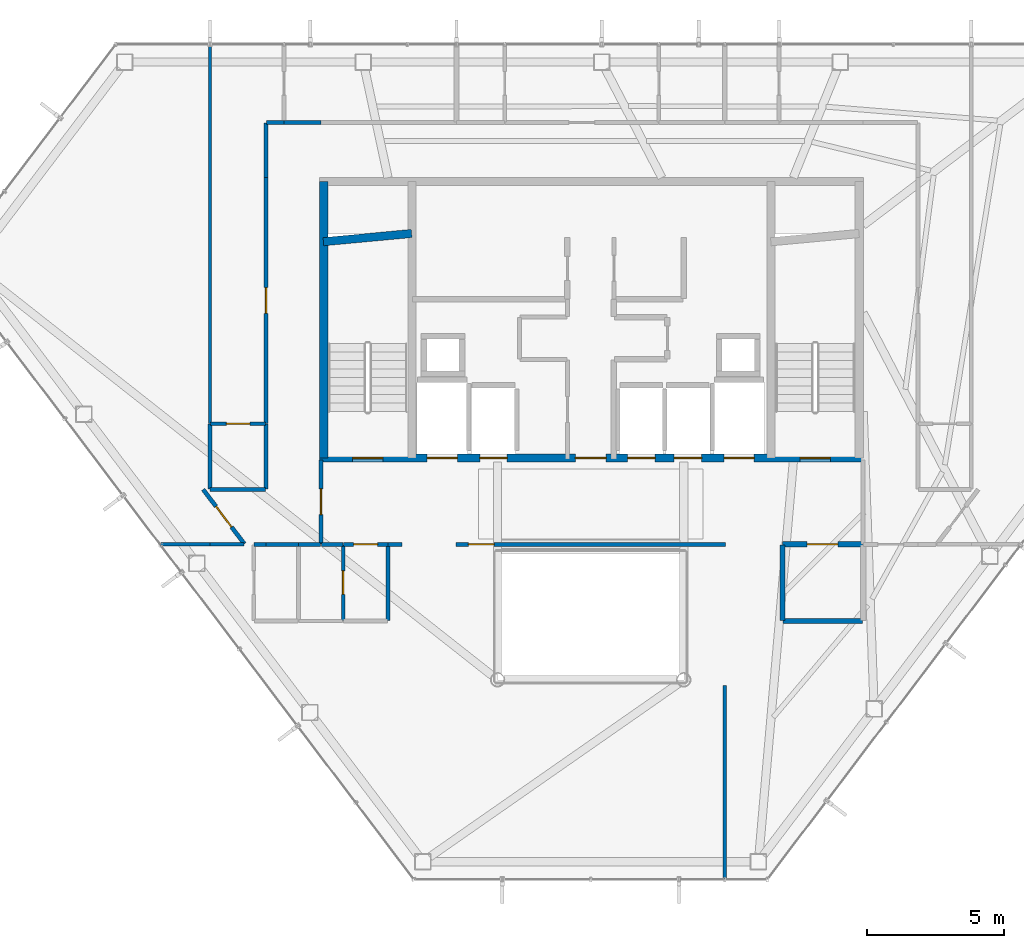
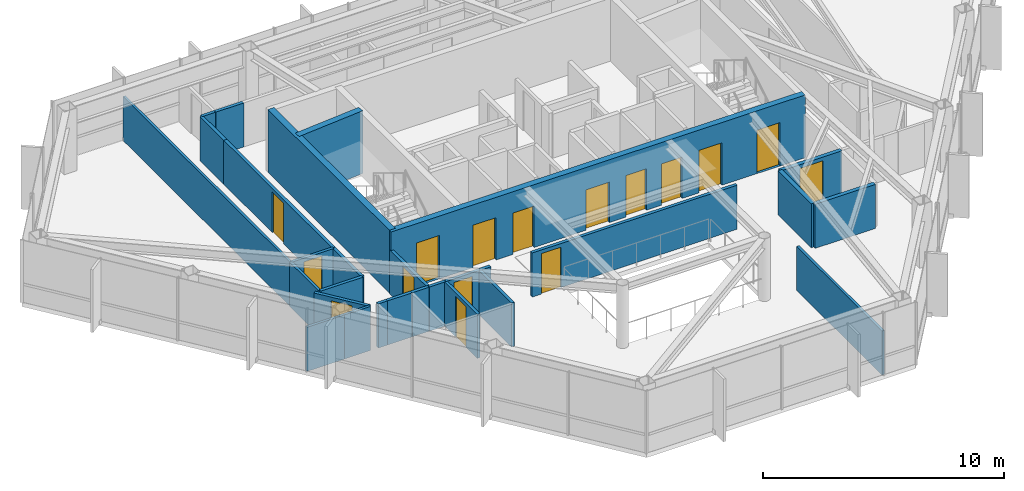
# One storey, part 22 of 25: 29 walls, 16 doors, 16 openings.
"""IFC4 building model written with IfcOpenShell, lengths in metres."""

import ifcopenshell
import ifcopenshell.guid

model = None  # the IFC model being written
_history = None  # IfcOwnerHistory: only IFC2X3 demands one
_inside = {}  # id of a spatial element -> (the spatial element, [elements in it])
_under = {}  # id of a project, library or spatial element -> (it, [spatial elements below it])
_declared = {}  # id of a project -> (the project, [libraries it declares])
_typed = {}  # id of a type object -> (the type object, [elements of that type])
_made_of = {}  # id of a material, layer set ... -> (it, [elements and type objects made of it])


def new_model(schema):
    """Start an empty IFC model of exactly this schema.

    Asked for "IFC4X3", IfcOpenShell would pick the latest addendum, in which some entities
    have other attributes; the version numbers below select the first issue.
    IFC2X3 requires an IfcOwnerHistory on every rooted entity: one is made here for all.
    """
    global model, _history
    if schema == "IFC4X3":
        model = ifcopenshell.file(schema_version=(4, 3, 0, 0))
    else:
        model = ifcopenshell.file(schema=schema)
    _inside.clear()
    _under.clear()
    _declared.clear()
    _typed.clear()
    _made_of.clear()
    _history = None
    if model.schema == "IFC2X3":
        org = make("IfcOrganization", Name="unknown")
        user = make(
            "IfcPersonAndOrganization",
            ThePerson=make("IfcPerson", FamilyName="unknown"),
            TheOrganization=org,
        )
        app = make(
            "IfcApplication",
            ApplicationDeveloper=org,
            Version="unknown",
            ApplicationFullName="unknown",
            ApplicationIdentifier="unknown",
        )
        _history = make(
            "IfcOwnerHistory",
            OwningUser=user,
            OwningApplication=app,
            ChangeAction="ADDED",
            CreationDate=0,
        )
    return model


def make(cls, **values):
    """One entity of the class cls with the attributes given. An attribute that is None is left unset."""
    return model.create_entity(
        cls, **{name: value for name, value in values.items() if value is not None}
    )


def rooted(cls, **values):
    """An entity with a GlobalId (a new one), such as an element, a storey or a relation."""
    return make(cls, GlobalId=ifcopenshell.guid.new(), OwnerHistory=_history, **values)


def si_unit(unit_type, name, prefix=None):
    """IfcSIUnit, for example si_unit("LENGTHUNIT", "METRE", prefix="MILLI")."""
    return make("IfcSIUnit", UnitType=unit_type, Prefix=prefix, Name=name)


def assignment(units):
    """IfcUnitAssignment: the units of a project."""
    return None if units is None else make("IfcUnitAssignment", Units=units)


def point(xyz):
    """IfcCartesianPoint."""
    return None if xyz is None else make("IfcCartesianPoint", Coordinates=xyz)


def direction(xyz):
    """IfcDirection."""
    return None if xyz is None else make("IfcDirection", DirectionRatios=xyz)


def frame(location, z_axis=None, x_axis=None):
    """IfcAxis2Placement3D, a coordinate frame: its origin and axes. An axis left out is left unset."""
    return make(
        "IfcAxis2Placement3D",
        Location=point(location),
        Axis=direction(z_axis),
        RefDirection=direction(x_axis),
    )


def frame_2d(location, x_axis=None):
    """IfcAxis2Placement2D, a coordinate frame in the plane: its origin and x axis."""
    return make(
        "IfcAxis2Placement2D", Location=point(location), RefDirection=direction(x_axis)
    )


def origin():
    """The frame at (0, 0, 0) with its axes left unset."""
    return frame((0.0, 0.0, 0.0))


def place(relative_to, where):
    """IfcLocalPlacement: puts the frame where relative to a parent placement (None: the world)."""
    return make(
        "IfcLocalPlacement", PlacementRelTo=relative_to, RelativePlacement=where
    )


def context(
    kind, dimensions, precision=None, world=None, true_north=None, identifier=None
):
    """IfcGeometricRepresentationContext, for example the 3D "Model" context."""
    return make(
        "IfcGeometricRepresentationContext",
        ContextIdentifier=identifier,
        ContextType=kind,
        CoordinateSpaceDimension=dimensions,
        Precision=precision,
        WorldCoordinateSystem=world,
        TrueNorth=true_north,
    )


def subcontext(parent, identifier, kind, view, scale=None):
    """IfcGeometricRepresentationSubContext, for example "Body" below "Model"."""
    return make(
        "IfcGeometricRepresentationSubContext",
        ContextIdentifier=identifier,
        ContextType=kind,
        ParentContext=parent,
        TargetScale=scale,
        TargetView=view,
    )


def project(units=None, contexts=None):
    """IfcProject with its units and contexts."""
    return rooted(
        "IfcProject",
        Name="project",
        RepresentationContexts=contexts,
        UnitsInContext=assignment(units),
    )


def spatial(cls, under=None, at=None, **own):
    """A site, building, storey or space (cls), placed at a placement, below another one or the project."""
    s = rooted(cls, ObjectPlacement=at, **own)
    if under is not None:
        _under.setdefault(under.id(), (under, []))[1].append(s)
    return s


def profile(cls, at=None, kind="AREA", **sizes):
    """A parametric profile (cls). Its sizes go by their IFC names, for example OverallWidth=200.0."""
    return make(cls, ProfileType=kind, Position=at, **sizes)


def rectangle(**sizes):
    """IfcRectangleProfileDef."""
    return profile("IfcRectangleProfileDef", **sizes)


def extrude(swept, where, along, depth):
    """IfcExtrudedAreaSolid: the profile swept, set in the frame where, extruded along a direction by depth."""
    return make(
        "IfcExtrudedAreaSolid",
        SweptArea=swept,
        Position=where,
        ExtrudedDirection=direction(along),
        Depth=depth,
    )


def shape(context_of_items, identifier, shape_type, items):
    """IfcShapeRepresentation: the items that make up one representation, for example the "Body"."""
    return make(
        "IfcShapeRepresentation",
        ContextOfItems=context_of_items,
        RepresentationIdentifier=identifier,
        RepresentationType=shape_type,
        Items=items,
    )


def material(Name=None, Category=None):
    """IfcMaterial."""
    return make("IfcMaterial", Name=Name, Category=Category)


def layer(
    of_material, thickness, ventilated=None, Name=None, Category=None, Priority=None
):
    """IfcMaterialLayer: one layer of a wall or slab, of a material (None: an air gap)."""
    return make(
        "IfcMaterialLayer",
        Material=of_material,
        LayerThickness=thickness,
        IsVentilated=ventilated,
        Name=Name,
        Category=Category,
        Priority=Priority,
    )


def layer_set(layers, Name=None):
    """IfcMaterialLayerSet."""
    return make("IfcMaterialLayerSet", MaterialLayers=layers, LayerSetName=Name)


def made_of(thing, what):
    """Note that an element or type object is made of a material, layer set ...; save() writes the relation."""
    if what is not None:
        _made_of.setdefault(what.id(), (what, []))[1].append(thing)
    return thing


def type_object(cls, material=None, **own):
    """A type object (cls), such as IfcWallType, which elements share."""
    return made_of(rooted(cls, **own), material)


def element(
    cls,
    number,
    at=None,
    inside=None,
    cuts=None,
    type_object=None,
    material=None,
    context=None,
    identifier="Body",
    shape_type=None,
    held_by="IfcProductDefinitionShape",
    body=None,
    shapes=None,
    **own,
):
    """One element of the class cls, such as IfcWall. Its Tag is "e" and its number.

    at: its placement. inside: the storey or other place that contains it. cuts: it is an
    opening in that element (IfcRelVoidsElement). A single representation is given by context,
    identifier, shape_type and body (its items); several are given by shapes. held_by: the class
    of the entity that holds the representations. save() writes the other relations.
    """
    e = rooted(cls, Tag="e%d" % number, ObjectPlacement=at, **own)
    if body is not None:
        shapes = [shape(context, identifier, shape_type, body)]
    if shapes is not None:
        e.Representation = make(held_by, Representations=shapes)
    if inside is not None:
        _inside.setdefault(inside.id(), (inside, []))[1].append(e)
    if cuts is not None:
        rooted(
            "IfcRelVoidsElement", RelatingBuildingElement=cuts, RelatedOpeningElement=e
        )
    if type_object is not None:
        _typed.setdefault(type_object.id(), (type_object, []))[1].append(e)
    return made_of(e, material)


def fill(opening, filler):
    """IfcRelFillsElement: the door or window that sits in an opening."""
    return rooted(
        "IfcRelFillsElement",
        RelatingOpeningElement=opening,
        RelatedBuildingElement=filler,
    )


def aggregate(whole, parts):
    """IfcRelAggregates: a whole, such as a stair, and the parts it consists of."""
    return rooted("IfcRelAggregates", RelatingObject=whole, RelatedObjects=parts)


def save(model, path):
    """Write the relations noted so far, then the file.

    IfcRelAggregates (storeys below a building ...), IfcRelContainedInSpatialStructure (elements
    in a storey), IfcRelDefinesByType, IfcRelAssociatesMaterial and IfcRelDeclares: one each for
    every whole, place, type object, material and project.
    """
    for whole, parts in _under.values():
        aggregate(whole, parts)
    for where, things in _inside.values():
        rooted(
            "IfcRelContainedInSpatialStructure",
            RelatedElements=things,
            RelatingStructure=where,
        )
    for kind, things in _typed.values():
        rooted("IfcRelDefinesByType", RelatedObjects=things, RelatingType=kind)
    for what, things in _made_of.values():
        rooted("IfcRelAssociatesMaterial", RelatedObjects=things, RelatingMaterial=what)
    for by, libraries in _declared.values():
        rooted("IfcRelDeclares", RelatingContext=by, RelatedDefinitions=libraries)
    model.write(path)


model = new_model("IFC4")

# Units and contexts
model_context = context("Model", 3, precision=1e-05, world=origin(), true_north=direction((0.0, 1.0)))
body_context = subcontext(model_context, "Body", "Model", "MODEL_VIEW")
ifc_project = project(units=[si_unit("LENGTHUNIT", "METRE"), si_unit("AREAUNIT", "SQUARE_METRE"), si_unit("VOLUMEUNIT", "CUBIC_METRE"), si_unit("PLANEANGLEUNIT", "RADIAN"), si_unit("MASSUNIT", "GRAM", prefix="KILO")], contexts=[model_context])

# Site, building, storey
site_placement = place(None, origin())
site = spatial("IfcSite", under=ifc_project, at=site_placement, CompositionType="ELEMENT")
building_placement = place(site_placement, origin())
building = spatial("IfcBuilding", under=site, at=building_placement, Name="Zarrinselat Tower", CompositionType="ELEMENT")
storey_placement = place(building_placement, frame((0.0, 0.0, 212.159912109375)))
storey = spatial("IfcBuildingStorey", under=building, at=storey_placement, Name="L52", CompositionType="ELEMENT", Elevation=212.159912109375)

# Wall, opening, door
ifc_material_1 = material(Name="Concrete C40/50", Category="concrete")
ifc_layer_1 = layer(ifc_material_1, 0.18994140625)
ifc_layer_set_1 = layer_set([ifc_layer_1], Name="Concrete C40/50")
wall_type_1 = type_object("IfcWallType", Name="WAL-PART-EI120", PredefinedType="PARTITIONING", material=ifc_layer_set_1)
wall_1_placement = place(storey_placement, frame((45.405029296875, 30.14990234375, 0.0), z_axis=(0.0, 0.0, 1.0), x_axis=(1.0, 0.0, 0.0)))
wall_1 = element("IfcWall", 1, at=wall_1_placement, inside=storey, type_object=wall_type_1, Name="L52 Partition Wall 16", PredefinedType="PARTITIONING", context=body_context, shape_type="SweptSolid", body=[
    extrude(rectangle(XDim=2.925048828125, YDim=0.18994140625, at=frame_2d((1.46240234375, 0.0))), origin(), (0.0, 0.0, 1.0), 2.235107421875),
])
opening_1_placement = place(wall_1_placement, frame((0.902587890625, 0.0, 0.0)))
opening_1 = element("IfcOpeningElement", 2, at=opening_1_placement, cuts=wall_1, Name="Opening ID-02", PredefinedType="OPENING", context=body_context, shape_type="SweptSolid", body=[
    extrude(rectangle(XDim=1.1201171875, YDim=2.050048828125, at=frame_2d((0.56005859375, 1.02490234375))), frame((0.0, 0.10498046875, 0.0), z_axis=(0.0, -1.0, 0.0), x_axis=(1.0, 0.0, 0.0)), (0.0, 0.0, 1.0), 0.2099609375),
])
ifc_material_2 = material(Name="Steel S355J2", Category="steel")
door_type_1 = type_object("IfcDoorType", Name="DR-INT-FD60-W", OperationType="NOTDEFINED", PredefinedType="DOOR", material=ifc_material_2)
door_1_placement = place(opening_1_placement, origin())
door_1 = element("IfcDoor", 3, at=door_1_placement, inside=storey, type_object=door_type_1, Name="L52 Interior Door P16", OperationType="SINGLE_SWING_RIGHT", OverallHeight=2.050048828125, OverallWidth=1.1201171875, PredefinedType="DOOR", context=body_context, shape_type="SweptSolid", body=[
    extrude(rectangle(XDim=1.1201171875, YDim=2.050048828125, at=frame_2d((0.56005859375, 1.02490234375))), frame((0.0, 0.02490234375, 0.0), z_axis=(0.0, -1.0, 0.0), x_axis=(1.0, 0.0, 0.0)), (0.0, 0.0, 1.0), 0.050048828125),
])
fill(opening_1, door_1)

# Walls
wall_2_placement = place(storey_placement, frame((45.419921875, 27.35009765625, 0.0), z_axis=(0.0, 0.0, 1.0), x_axis=(1.0, 0.0, 0.0)))
element("IfcWall", 4, at=wall_2_placement, inside=storey, type_object=wall_type_1, Name="L52 Partition Wall 23", PredefinedType="PARTITIONING", context=body_context, shape_type="SweptSolid", body=[
    extrude(rectangle(XDim=2.91015625, YDim=0.18994140625, at=frame_2d((1.455078125, 0.0))), origin(), (0.0, 0.0, 1.0), 2.235107421875),
])
wall_3_placement = place(storey_placement, frame((45.39990234375, 27.3701171875, 0.0), z_axis=(0.0, 0.0, 1.0), x_axis=(0.0, 1.0, 0.0)))
element("IfcWall", 5, at=wall_3_placement, inside=storey, type_object=wall_type_1, Name="L52 Partition Wall 24", PredefinedType="PARTITIONING", context=body_context, shape_type="SweptSolid", body=[
    extrude(rectangle(XDim=2.759765625, YDim=0.18994140625, at=frame_2d((1.3798828125, 0.0))), origin(), (0.0, 0.0, 1.0), 2.235107421875),
])

# Wall, opening, door
ifc_material_3 = material(Name="Fire-Rated Gypsum Board Partition", Category="gypsum")
ifc_layer_2 = layer(ifc_material_3, 0.14990234375)
ifc_layer_set_2 = layer_set([ifc_layer_2], Name="Fire-Rated Gypsum Board Partition")
wall_type_2 = type_object("IfcWallType", Name="WAL-PART-EI60", PredefinedType="PARTITIONING", material=ifc_layer_set_2)
wall_4_placement = place(storey_placement, frame((28.550048828125, 30.169921875, 0.0), z_axis=(0.0, 0.0, 1.0), x_axis=(0.0, 1.0, 0.0)))
wall_4 = element("IfcWall", 6, at=wall_4_placement, inside=storey, type_object=wall_type_2, Name="L52 Partition Wall 17", PredefinedType="PARTITIONING", context=body_context, shape_type="SweptSolid", body=[
    extrude(rectangle(XDim=3.06005859375, YDim=0.14990234375, at=frame_2d((1.530029296875, 0.0))), origin(), (0.0, 0.0, 1.0), 2.235107421875),
])
opening_2_placement = place(wall_4_placement, frame((1.06005859375, 0.0, 0.0)))
opening_2 = element("IfcOpeningElement", 7, at=opening_2_placement, cuts=wall_4, Name="Opening ID-04", PredefinedType="OPENING", context=body_context, shape_type="SweptSolid", body=[
    extrude(rectangle(XDim=0.93994140625, YDim=2.050048828125, at=frame_2d((0.469970703125, 1.02490234375))), frame((0.0, 0.0849609375, 0.0), z_axis=(0.0, -1.0, 0.0), x_axis=(1.0, 0.0, 0.0)), (0.0, 0.0, 1.0), 0.169921875),
])
ifc_material_4 = material(Name="Fire-Rated Gypsum Board Partition")
door_type_2 = type_object("IfcDoorType", Name="DR-INT-FD30-ENT", OperationType="NOTDEFINED", PredefinedType="DOOR", material=ifc_material_4)
door_2_placement = place(opening_2_placement, origin())
door_2 = element("IfcDoor", 8, at=door_2_placement, inside=storey, type_object=door_type_2, Name="L52 Interior Door P17", OperationType="SINGLE_SWING_LEFT", OverallHeight=2.050048828125, OverallWidth=0.93994140625, PredefinedType="DOOR", context=body_context, shape_type="SweptSolid", body=[
    extrude(rectangle(XDim=0.93994140625, YDim=2.050048828125, at=frame_2d((0.469970703125, 1.02490234375))), frame((0.0, 0.02490234375, 0.0), z_axis=(0.0, -1.0, 0.0), x_axis=(1.0, 0.0, 0.0)), (0.0, 0.0, 1.0), 0.050048828125),
])
fill(opening_2, door_2)

wall_5_placement = place(storey_placement, frame((29.364990234375, 30.14990234375, 0.0), z_axis=(0.0, 0.0, 1.0), x_axis=(1.0, 0.0, 0.0)))
wall_5 = element("IfcWall", 9, at=wall_5_placement, inside=storey, type_object=wall_type_2, Name="L52 Partition Wall 19", PredefinedType="PARTITIONING", context=body_context, shape_type="SweptSolid", body=[
    extrude(rectangle(XDim=1.630126953125, YDim=0.14990234375, at=frame_2d((0.81494140625, 0.0))), origin(), (0.0, 0.0, 1.0), 2.235107421875),
])
opening_3_placement = place(wall_5_placement, frame((0.375, 0.0, 0.0)))
opening_3 = element("IfcOpeningElement", 10, at=opening_3_placement, cuts=wall_5, Name="Opening ID-03", PredefinedType="OPENING", context=body_context, shape_type="SweptSolid", body=[
    extrude(rectangle(XDim=0.8798828125, YDim=2.050048828125, at=frame_2d((0.43994140625, 1.02490234375))), frame((0.0, 0.0849609375, 0.0), z_axis=(0.0, -1.0, 0.0), x_axis=(1.0, 0.0, 0.0)), (0.0, 0.0, 1.0), 0.169921875),
])
ifc_material_5 = material(Name="Steel S355J2", Category="steel")
door_type_3 = type_object("IfcDoorType", Name="DR-INT-FD60-S", OperationType="NOTDEFINED", PredefinedType="DOOR", material=ifc_material_5)
door_3_placement = place(opening_3_placement, origin())
door_3 = element("IfcDoor", 11, at=door_3_placement, inside=storey, type_object=door_type_3, Name="L52 Interior Door P19", OperationType="SINGLE_SWING_RIGHT", OverallHeight=2.050048828125, OverallWidth=0.8798828125, PredefinedType="DOOR", context=body_context, shape_type="SweptSolid", body=[
    extrude(rectangle(XDim=0.8798828125, YDim=2.050048828125, at=frame_2d((0.43994140625, 1.02490234375))), frame((0.0, 0.02490234375, 0.0), z_axis=(0.0, -1.0, 0.0), x_axis=(1.0, 0.0, 0.0)), (0.0, 0.0, 1.0), 0.050048828125),
])
fill(opening_3, door_3)

# Wall
wall_6_placement = place(storey_placement, frame((28.570068359375, 30.14990234375, 0.0), z_axis=(0.0, 0.0, 1.0), x_axis=(1.0, 0.0, 0.0)))
element("IfcWall", 12, at=wall_6_placement, inside=storey, type_object=wall_type_2, Name="L52 Partition Wall 20", PredefinedType="PARTITIONING", context=body_context, shape_type="SweptSolid", body=[
    extrude(rectangle(XDim=0.784912109375, YDim=0.14990234375, at=frame_2d((0.392578125, 0.0))), origin(), (0.0, 0.0, 1.0), 2.235107421875),
])

# Wall, opening, door
wall_7_placement = place(storey_placement, frame((33.485107421875, 30.14990234375, 0.0), z_axis=(0.0, 0.0, 1.0), x_axis=(1.0, 0.0, 0.0)))
wall_7 = element("IfcWall", 13, at=wall_7_placement, inside=storey, type_object=wall_type_2, Name="L52 Partition Wall 21", PredefinedType="PARTITIONING", context=body_context, shape_type="SweptSolid", body=[
    extrude(rectangle(XDim=9.829833984375, YDim=0.14990234375, at=frame_2d((4.9150390625, 0.0))), origin(), (0.0, 0.0, 1.0), 2.235107421875),
])
opening_4_placement = place(wall_7_placement, frame((0.445068359375, 0.0, 0.0)))
opening_4 = element("IfcOpeningElement", 14, at=opening_4_placement, cuts=wall_7, Name="Opening ID-04", PredefinedType="OPENING", context=body_context, shape_type="SweptSolid", body=[
    extrude(rectangle(XDim=0.93994140625, YDim=2.050048828125, at=frame_2d((0.469970703125, 1.02490234375))), frame((0.0, 0.0849609375, 0.0), z_axis=(0.0, -1.0, 0.0), x_axis=(1.0, 0.0, 0.0)), (0.0, 0.0, 1.0), 0.169921875),
])
door_4_placement = place(opening_4_placement, origin())
door_4 = element("IfcDoor", 15, at=door_4_placement, inside=storey, type_object=door_type_2, Name="L52 Interior Door P21", OperationType="SINGLE_SWING_LEFT", OverallHeight=2.050048828125, OverallWidth=0.93994140625, PredefinedType="DOOR", context=body_context, shape_type="SweptSolid", body=[
    extrude(rectangle(XDim=0.93994140625, YDim=2.050048828125, at=frame_2d((0.469970703125, 1.02490234375))), frame((0.0, 0.02490234375, 0.0), z_axis=(0.0, -1.0, 0.0), x_axis=(1.0, 0.0, 0.0)), (0.0, 0.0, 1.0), 0.050048828125),
])
fill(opening_4, door_4)

# Walls
wall_8_placement = place(storey_placement, frame((31.0048828125, 30.14990234375, 0.0), z_axis=(0.0, 0.0, 1.0), x_axis=(1.0, 0.0, 0.0)))
element("IfcWall", 16, at=wall_8_placement, inside=storey, type_object=wall_type_2, Name="L52 Partition Wall 22", PredefinedType="PARTITIONING", context=body_context, shape_type="SweptSolid", body=[
    extrude(rectangle(XDim=0.510009765625, YDim=0.14990234375, at=frame_2d((0.2548828125, 0.0))), origin(), (0.0, 0.0, 1.0), 2.235107421875),
])
wall_9_placement = place(storey_placement, frame((26.550048828125, 30.14990234375, 0.0), z_axis=(0.0, 0.0, 1.0), x_axis=(1.0, 0.0, 0.0)))
element("IfcWall", 17, at=wall_9_placement, inside=storey, type_object=wall_type_2, Name="L52 Partition Wall 26", PredefinedType="PARTITIONING", context=body_context, shape_type="SweptSolid", body=[
    extrude(rectangle(XDim=1.175048828125, YDim=0.14990234375, at=frame_2d((0.58740234375, 0.0))), origin(), (0.0, 0.0, 1.0), 2.235107421875),
])
wall_10_placement = place(storey_placement, frame((26.10498046875, 30.14990234375, 0.0), z_axis=(0.0, 0.0, 1.0), x_axis=(1.0, 0.0, 0.0)))
element("IfcWall", 18, at=wall_10_placement, inside=storey, type_object=wall_type_2, Name="L52 Partition Wall 27", PredefinedType="PARTITIONING", context=body_context, shape_type="SweptSolid", body=[
    extrude(rectangle(XDim=0.445068359375, YDim=0.14990234375, at=frame_2d((0.22265625, 0.0))), origin(), (0.0, 0.0, 1.0), 2.235107421875),
])
wall_11_placement = place(storey_placement, frame((27.735107421875, 30.14990234375, 0.0), z_axis=(0.0, 0.0, 1.0), x_axis=(1.0, 0.0, 0.0)))
element("IfcWall", 19, at=wall_11_placement, inside=storey, type_object=wall_type_2, Name="L52 Partition Wall 28", PredefinedType="PARTITIONING", context=body_context, shape_type="SweptSolid", body=[
    extrude(rectangle(XDim=0.794921875, YDim=0.14990234375, at=frame_2d((0.3974609375, 0.0))), origin(), (0.0, 0.0, 1.0), 2.235107421875),
])

# Wall, opening, door
wall_12_placement = place(storey_placement, frame((24.249755859375, 32.14990234375, 0.0), z_axis=(0.0, 0.0, 1.0), x_axis=(0.60385391082, -0.797095009637, 0.0)))
wall_12 = element("IfcWall", 20, at=wall_12_placement, inside=storey, type_object=wall_type_2, Name="L52 Partition Wall 31", PredefinedType="PARTITIONING", context=body_context, shape_type="SweptSolid", body=[
    extrude(rectangle(XDim=2.489013671875, YDim=0.14990234375, at=frame_2d((1.24462890625, 0.0))), origin(), (0.0, 0.0, 1.0), 2.235107421875),
])
opening_5_placement = place(wall_12_placement, frame((0.774658203125, 0.0, 0.0)))
opening_5 = element("IfcOpeningElement", 21, at=opening_5_placement, cuts=wall_12, Name="Opening ID-04", PredefinedType="OPENING", context=body_context, shape_type="SweptSolid", body=[
    extrude(rectangle(XDim=0.93994140625, YDim=2.050048828125, at=frame_2d((0.469970703125, 1.02490234375))), frame((0.0, 0.0849609375, 0.0), z_axis=(0.0, -1.0, 0.0), x_axis=(1.0, 0.0, 0.0)), (0.0, 0.0, 1.0), 0.169921875),
])
door_5_placement = place(opening_5_placement, origin())
door_5 = element("IfcDoor", 22, at=door_5_placement, inside=storey, type_object=door_type_2, Name="L52 Interior Door P31", OperationType="SINGLE_SWING_LEFT", OverallHeight=2.050048828125, OverallWidth=0.93994140625, PredefinedType="DOOR", context=body_context, shape_type="SweptSolid", body=[
    extrude(rectangle(XDim=0.93994140625, YDim=2.050048828125, at=frame_2d((0.469970703125, 1.02490234375))), frame((0.0, 0.02490234375, 0.0), z_axis=(0.0, -1.0, 0.0), x_axis=(1.0, 0.0, 0.0)), (0.0, 0.0, 1.0), 0.050048828125),
])
fill(opening_5, door_5)

wall_13_placement = place(storey_placement, frame((26.550048828125, 34.554931640625, 0.0), z_axis=(0.0, 0.0, 1.0), x_axis=(0.0, 1.0, 0.0)))
wall_13 = element("IfcWall", 23, at=wall_13_placement, inside=storey, type_object=wall_type_2, Name="L52 Partition Wall 33", PredefinedType="PARTITIONING", context=body_context, shape_type="SweptSolid", body=[
    extrude(rectangle(XDim=8.9951171875, YDim=0.14990234375, at=frame_2d((4.49755859375, 0.0))), origin(), (0.0, 0.0, 1.0), 2.235107421875),
])
opening_6_placement = place(wall_13_placement, frame((4.027587890625, 0.0, 0.0)))
opening_6 = element("IfcOpeningElement", 24, at=opening_6_placement, cuts=wall_13, Name="Opening ID-04", PredefinedType="OPENING", context=body_context, shape_type="SweptSolid", body=[
    extrude(rectangle(XDim=0.93994140625, YDim=2.050048828125, at=frame_2d((0.469970703125, 1.02490234375))), frame((0.0, 0.0849609375, 0.0), z_axis=(0.0, -1.0, 0.0), x_axis=(1.0, 0.0, 0.0)), (0.0, 0.0, 1.0), 0.169921875),
])
door_6_placement = place(opening_6_placement, origin())
door_6 = element("IfcDoor", 25, at=door_6_placement, inside=storey, type_object=door_type_2, Name="L52 Interior Door P33", OperationType="SINGLE_SWING_LEFT", OverallHeight=2.050048828125, OverallWidth=0.93994140625, PredefinedType="DOOR", context=body_context, shape_type="SweptSolid", body=[
    extrude(rectangle(XDim=0.93994140625, YDim=2.050048828125, at=frame_2d((0.469970703125, 1.02490234375))), frame((0.0, 0.02490234375, 0.0), z_axis=(0.0, -1.0, 0.0), x_axis=(1.0, 0.0, 0.0)), (0.0, 0.0, 1.0), 0.050048828125),
])
fill(opening_6, door_6)

# Walls
wall_14_placement = place(storey_placement, frame((26.550048828125, 43.550048828125, 0.0), z_axis=(0.0, 0.0, 1.0), x_axis=(0.0, 1.0, 0.0)))
element("IfcWall", 26, at=wall_14_placement, inside=storey, type_object=wall_type_2, Name="L52 Partition Wall 34", PredefinedType="PARTITIONING", context=body_context, shape_type="SweptSolid", body=[
    extrude(rectangle(XDim=1.97998046875, YDim=0.14990234375, at=frame_2d((0.989990234375, 0.0))), origin(), (0.0, 0.0, 1.0), 2.235107421875),
])
wall_15_placement = place(storey_placement, frame((26.570068359375, 45.550048828125, 0.0), z_axis=(0.0, 0.0, 1.0), x_axis=(1.0, 0.0, 0.0)))
element("IfcWall", 27, at=wall_15_placement, inside=storey, type_object=wall_type_2, Name="L52 Partition Wall 35", PredefinedType="PARTITIONING", context=body_context, shape_type="SweptSolid", body=[
    extrude(rectangle(XDim=0.625, YDim=0.14990234375, at=frame_2d((0.3125, 0.0))), origin(), (0.0, 0.0, 1.0), 2.235107421875),
])
wall_16_placement = place(storey_placement, frame((27.205078125, 45.550048828125, 0.0), z_axis=(0.0, 0.0, 1.0), x_axis=(1.0, 0.0, 0.0)))
element("IfcWall", 28, at=wall_16_placement, inside=storey, type_object=wall_type_2, Name="L52 Partition Wall 36", PredefinedType="PARTITIONING", context=body_context, shape_type="SweptSolid", body=[
    extrude(rectangle(XDim=1.344970703125, YDim=0.14990234375, at=frame_2d((0.67236328125, 0.0))), origin(), (0.0, 0.0, 1.0), 2.235107421875),
])
wall_17_placement = place(storey_placement, frame((24.5048828125, 32.14990234375, 0.0), z_axis=(0.0, 0.0, 1.0), x_axis=(1.0, 0.0, 0.0)))
element("IfcWall", 29, at=wall_17_placement, inside=storey, type_object=wall_type_2, Name="L52 Partition Wall 38", PredefinedType="PARTITIONING", context=body_context, shape_type="SweptSolid", body=[
    extrude(rectangle(XDim=2.025146484375, YDim=0.14990234375, at=frame_2d((1.0126953125, 0.0))), origin(), (0.0, 0.0, 1.0), 2.235107421875),
])
wall_18_placement = place(storey_placement, frame((26.550048828125, 32.169921875, 0.0), z_axis=(0.0, 0.0, 1.0), x_axis=(0.0, 1.0, 0.0)))
element("IfcWall", 30, at=wall_18_placement, inside=storey, type_object=wall_type_2, Name="L52 Partition Wall 39", PredefinedType="PARTITIONING", context=body_context, shape_type="SweptSolid", body=[
    extrude(rectangle(XDim=2.375, YDim=0.14990234375, at=frame_2d((1.1875, 0.0))), origin(), (0.0, 0.0, 1.0), 2.235107421875),
])
ifc_material_6 = material(Name="Fire-Rated Gypsum Board Partition", Category="gypsum")
ifc_layer_3 = layer(ifc_material_6, 0.1201171875)
ifc_layer_set_3 = layer_set([ifc_layer_3], Name="Fire-Rated Gypsum Board Partition")
wall_type_3 = type_object("IfcWallType", Name="WAL-PART-STD", PredefinedType="PARTITIONING", material=ifc_layer_set_3)
wall_19_placement = place(storey_placement, frame((43.300048828125, 17.925537109375, 0.0), z_axis=(0.0, 0.0, 1.0), x_axis=(0.0, 1.0, 0.0)))
element("IfcWall", 31, at=wall_19_placement, inside=storey, type_object=wall_type_3, Name="L52 Partition Wall 57", PredefinedType="PARTITIONING", context=body_context, shape_type="SweptSolid", body=[
    extrude(rectangle(XDim=7.074462890625, YDim=0.1201171875, at=frame_2d((3.537109375, 0.0))), origin(), (0.0, 0.0, 1.0), 2.235107421875),
])
wall_20_placement = place(storey_placement, frame((24.5, 30.14990234375, 0.0), z_axis=(0.0, 0.0, 1.0), x_axis=(1.0, 0.0, 0.0)))
element("IfcWall", 32, at=wall_20_placement, inside=storey, type_object=wall_type_3, Name="L52 Partition Wall 58", PredefinedType="PARTITIONING", context=body_context, shape_type="SweptSolid", body=[
    extrude(rectangle(XDim=1.244873046875, YDim=0.1201171875, at=frame_2d((0.62255859375, 0.0))), origin(), (0.0, 0.0, 1.0), 2.235107421875),
])
wall_21_placement = place(storey_placement, frame((22.693603515625, 30.14990234375, 0.0), z_axis=(0.0, 0.0, 1.0), x_axis=(1.0, 0.0, 0.0)))
element("IfcWall", 33, at=wall_21_placement, inside=storey, type_object=wall_type_3, Name="L52 Partition Wall 59", PredefinedType="PARTITIONING", context=body_context, shape_type="SweptSolid", body=[
    extrude(rectangle(XDim=1.806396484375, YDim=0.1201171875, at=frame_2d((0.9033203125, 0.0))), origin(), (0.0, 0.0, 1.0), 2.235107421875),
])
wall_22_placement = place(storey_placement, frame((24.5, 34.554931640625, 0.0), z_axis=(0.0, 0.0, 1.0), x_axis=(0.0, 1.0, 0.0)))
element("IfcWall", 34, at=wall_22_placement, inside=storey, type_object=wall_type_3, Name="L52 Partition Wall 62", PredefinedType="PARTITIONING", context=body_context, shape_type="SweptSolid", body=[
    extrude(rectangle(XDim=13.841064453125, YDim=0.1201171875, at=frame_2d((6.92041015625, 0.0))), origin(), (0.0, 0.0, 1.0), 2.235107421875),
])

# Wall, opening, door
ifc_material_7 = material(Name="Fire-Rated Gypsum Board Partition", Category="gypsum")
ifc_layer_4 = layer(ifc_material_7, 0.135009765625)
ifc_layer_set_4 = layer_set([ifc_layer_4], Name="Fire-Rated Gypsum Board Partition")
wall_type_4 = type_object("IfcWallType", Name="WAL-PART-WET", PredefinedType="PARTITIONING", material=ifc_layer_set_4)
wall_23_placement = place(storey_placement, frame((29.360107421875, 27.3701171875, 0.0), z_axis=(0.0, 0.0, 1.0), x_axis=(0.0, 1.0, 0.0)))
wall_23 = element("IfcWall", 35, at=wall_23_placement, inside=storey, type_object=wall_type_4, Name="L52 Partition Wall 50", PredefinedType="PARTITIONING", context=body_context, shape_type="SweptSolid", body=[
    extrude(rectangle(XDim=2.759765625, YDim=0.135009765625, at=frame_2d((1.3798828125, 0.0))), origin(), (0.0, 0.0, 1.0), 2.235107421875),
])
opening_7_placement = place(wall_23_placement, frame((0.949951171875, 0.0, 0.0)))
opening_7 = element("IfcOpeningElement", 36, at=opening_7_placement, cuts=wall_23, Name="Opening ID-06", PredefinedType="OPENING", context=body_context, shape_type="SweptSolid", body=[
    extrude(rectangle(XDim=0.860107421875, YDim=2.050048828125, at=frame_2d((0.43017578125, 1.02490234375))), frame((0.0, 0.077392578125, 0.0), z_axis=(0.0, -1.0, 0.0), x_axis=(1.0, 0.0, 0.0)), (0.0, 0.0, 1.0), 0.155029296875),
])
ifc_material_8 = material(Name="Extruded Aluminium Alloy EN AW-6063 T6", Category="aluminium")
door_type_4 = type_object("IfcDoorType", Name="DR-INT-WET-900", OperationType="NOTDEFINED", PredefinedType="DOOR", material=ifc_material_8)
door_7_placement = place(opening_7_placement, origin())
door_7 = element("IfcDoor", 37, at=door_7_placement, inside=storey, type_object=door_type_4, Name="L52 Interior Door P50", OperationType="SINGLE_SWING_RIGHT", OverallHeight=2.050048828125, OverallWidth=0.860107421875, PredefinedType="DOOR", context=body_context, shape_type="SweptSolid", body=[
    extrude(rectangle(XDim=0.860107421875, YDim=2.050048828125, at=frame_2d((0.43017578125, 1.02490234375))), frame((0.0, 0.02490234375, 0.0), z_axis=(0.0, -1.0, 0.0), x_axis=(1.0, 0.0, 0.0)), (0.0, 0.0, 1.0), 0.050048828125),
])
fill(opening_7, door_7)

# Walls
wall_24_placement = place(storey_placement, frame((31.0, 27.3701171875, 0.0), z_axis=(0.0, 0.0, 1.0), x_axis=(0.0, 1.0, 0.0)))
element("IfcWall", 38, at=wall_24_placement, inside=storey, type_object=wall_type_4, Name="L52 Partition Wall 52", PredefinedType="PARTITIONING", context=body_context, shape_type="SweptSolid", body=[
    extrude(rectangle(XDim=2.759765625, YDim=0.135009765625, at=frame_2d((1.3798828125, 0.0))), origin(), (0.0, 0.0, 1.0), 2.235107421875),
])
wall_25_placement = place(storey_placement, frame((24.5, 32.169921875, 0.0), z_axis=(0.0, 0.0, 1.0), x_axis=(0.0, 1.0, 0.0)))
element("IfcWall", 39, at=wall_25_placement, inside=storey, type_object=wall_type_4, Name="L52 Partition Wall 63", PredefinedType="PARTITIONING", context=body_context, shape_type="SweptSolid", body=[
    extrude(rectangle(XDim=2.375, YDim=0.135009765625, at=frame_2d((1.1875, 0.0))), origin(), (0.0, 0.0, 1.0), 2.235107421875),
])

# Wall, opening, door
wall_26_placement = place(storey_placement, frame((24.52001953125, 34.550048828125, 0.0), z_axis=(0.0, 0.0, 1.0), x_axis=(1.0, 0.0, 0.0)))
wall_26 = element("IfcWall", 40, at=wall_26_placement, inside=storey, type_object=wall_type_4, Name="L52 Partition Wall 67", PredefinedType="PARTITIONING", context=body_context, shape_type="SweptSolid", body=[
    extrude(rectangle(XDim=2.010009765625, YDim=0.135009765625, at=frame_2d((1.0048828125, 0.0))), origin(), (0.0, 0.0, 1.0), 2.235107421875),
])
opening_8_placement = place(wall_26_placement, frame((0.574951171875, 0.0, 0.0)))
opening_8 = element("IfcOpeningElement", 41, at=opening_8_placement, cuts=wall_26, Name="Opening ID-06", PredefinedType="OPENING", context=body_context, shape_type="SweptSolid", body=[
    extrude(rectangle(XDim=0.860107421875, YDim=2.050048828125, at=frame_2d((0.43017578125, 1.02490234375))), frame((0.0, 0.077392578125, 0.0), z_axis=(0.0, -1.0, 0.0), x_axis=(1.0, 0.0, 0.0)), (0.0, 0.0, 1.0), 0.155029296875),
])
door_8_placement = place(opening_8_placement, origin())
door_8 = element("IfcDoor", 42, at=door_8_placement, inside=storey, type_object=door_type_4, Name="L52 Interior Door P67", OperationType="SINGLE_SWING_LEFT", OverallHeight=2.050048828125, OverallWidth=0.860107421875, PredefinedType="DOOR", context=body_context, shape_type="SweptSolid", body=[
    extrude(rectangle(XDim=0.860107421875, YDim=2.050048828125, at=frame_2d((0.43017578125, 1.02490234375))), frame((0.0, 0.02490234375, 0.0), z_axis=(0.0, -1.0, 0.0), x_axis=(1.0, 0.0, 0.0)), (0.0, 0.0, 1.0), 0.050048828125),
])
fill(opening_8, door_8)

# Wall, openings, doors
ifc_material_9 = material(Name="Concrete C40/50", Category="concrete")
ifc_layer_5 = layer(ifc_material_9, 0.300048828125)
ifc_layer_set_5 = layer_set([ifc_layer_5], Name="Concrete C40/50")
wall_type_5 = type_object("IfcWallType", Name="WAL-SHEAR-300", PredefinedType="SHEAR", material=ifc_layer_set_5)
wall_27_placement = place(storey_placement, frame((28.5, 33.300048828125, 0.0), z_axis=(0.0, 0.0, 1.0), x_axis=(1.0, 0.0, 0.0)))
wall_27 = element("IfcWall", 43, at=wall_27_placement, inside=storey, type_object=wall_type_5, Name="L52 South Core Shear Wall", PredefinedType="SHEAR", context=body_context, shape_type="SweptSolid", body=[
    extrude(rectangle(XDim=19.860107421875, YDim=0.300048828125, at=frame_2d((9.93017578125, 0.0))), origin(), (0.0, 0.0, 1.0), 3.18017578125),
])
opening_9_placement = place(wall_27_placement, frame((3.929931640625, 0.0, 0.0)))
opening_9 = element("IfcOpeningElement", 44, at=opening_9_placement, cuts=wall_27, Name="Opening LD-FFL1", PredefinedType="OPENING", context=body_context, shape_type="SweptSolid", body=[
    extrude(rectangle(XDim=1.10009765625, YDim=2.14990234375, at=frame_2d((0.550048828125, 1.074951171875))), frame((0.0, 0.159912109375, 0.0), z_axis=(0.0, -1.0, 0.0), x_axis=(1.0, 0.0, 0.0)), (0.0, 0.0, 1.0), 0.320068359375),
])
opening_10_placement = place(wall_27_placement, frame((14.77001953125, 0.0, 0.0)))
opening_10 = element("IfcOpeningElement", 45, at=opening_10_placement, cuts=wall_27, Name="Opening LD-FFL2", PredefinedType="OPENING", context=body_context, shape_type="SweptSolid", body=[
    extrude(rectangle(XDim=1.10009765625, YDim=2.14990234375, at=frame_2d((0.550048828125, 1.074951171875))), frame((0.0, 0.159912109375, 0.0), z_axis=(0.0, -1.0, 0.0), x_axis=(1.0, 0.0, 0.0)), (0.0, 0.0, 1.0), 0.320068359375),
])
opening_11_placement = place(wall_27_placement, frame((11.25, 0.0, 0.0)))
opening_11 = element("IfcOpeningElement", 46, at=opening_11_placement, cuts=wall_27, Name="Opening LD-PL8", PredefinedType="OPENING", context=body_context, shape_type="SweptSolid", body=[
    extrude(rectangle(XDim=1.0, YDim=2.10009765625, at=frame_2d((0.5, 1.050048828125))), frame((0.0, 0.159912109375, 0.0), z_axis=(0.0, -1.0, 0.0), x_axis=(1.0, 0.0, 0.0)), (0.0, 0.0, 1.0), 0.320068359375),
])
opening_12_placement = place(wall_27_placement, frame((12.949951171875, 0.0, 0.0)))
opening_12 = element("IfcOpeningElement", 47, at=opening_12_placement, cuts=wall_27, Name="Opening LD-PL9", PredefinedType="OPENING", context=body_context, shape_type="SweptSolid", body=[
    extrude(rectangle(XDim=1.0, YDim=2.10009765625, at=frame_2d((0.5, 1.050048828125))), frame((0.0, 0.159912109375, 0.0), z_axis=(0.0, -1.0, 0.0), x_axis=(1.0, 0.0, 0.0)), (0.0, 0.0, 1.0), 0.320068359375),
])
opening_13_placement = place(wall_27_placement, frame((5.85009765625, 0.0, 0.0)))
opening_13 = element("IfcOpeningElement", 48, at=opening_13_placement, cuts=wall_27, Name="Opening LD-PL10", PredefinedType="OPENING", context=body_context, shape_type="SweptSolid", body=[
    extrude(rectangle(XDim=1.0, YDim=2.10009765625, at=frame_2d((0.5, 1.050048828125))), frame((0.0, 0.159912109375, 0.0), z_axis=(0.0, -1.0, 0.0), x_axis=(1.0, 0.0, 0.0)), (0.0, 0.0, 1.0), 0.320068359375),
])
opening_14_placement = place(wall_27_placement, frame((1.2099609375, 0.0, 0.0)))
opening_14 = element("IfcOpeningElement", 49, at=opening_14_placement, cuts=wall_27, Name="Opening SD-01", PredefinedType="OPENING", context=body_context, shape_type="SweptSolid", body=[
    extrude(rectangle(XDim=1.10009765625, YDim=2.199951171875, at=frame_2d((0.550048828125, 1.10009765625))), frame((0.0, 0.159912109375, 0.0), z_axis=(0.0, -1.0, 0.0), x_axis=(1.0, 0.0, 0.0)), (0.0, 0.0, 1.0), 0.320068359375),
])
opening_15_placement = place(wall_27_placement, frame((9.340087890625, 0.0, 0.0)))
opening_15 = element("IfcOpeningElement", 50, at=opening_15_placement, cuts=wall_27, Name="Opening ID-02", PredefinedType="OPENING", context=body_context, shape_type="SweptSolid", body=[
    extrude(rectangle(XDim=1.1201171875, YDim=2.050048828125, at=frame_2d((0.56005859375, 1.02490234375))), frame((0.0, 0.159912109375, 0.0), z_axis=(0.0, -1.0, 0.0), x_axis=(1.0, 0.0, 0.0)), (0.0, 0.0, 1.0), 0.320068359375),
])
opening_16_placement = place(wall_27_placement, frame((17.550048828125, 0.0, 0.0)))
opening_16 = element("IfcOpeningElement", 51, at=opening_16_placement, cuts=wall_27, Name="Opening SD-01", PredefinedType="OPENING", context=body_context, shape_type="SweptSolid", body=[
    extrude(rectangle(XDim=1.10009765625, YDim=2.199951171875, at=frame_2d((0.550048828125, 1.10009765625))), frame((0.0, 0.159912109375, 0.0), z_axis=(0.0, -1.0, 0.0), x_axis=(1.0, 0.0, 0.0)), (0.0, 0.0, 1.0), 0.320068359375),
])
door_9_placement = place(opening_15_placement, origin())
door_9 = element("IfcDoor", 52, at=door_9_placement, inside=storey, type_object=door_type_1, Name="L52 Core Service Vestibule Fire Door", OperationType="SINGLE_SWING_RIGHT", OverallHeight=2.050048828125, OverallWidth=1.1201171875, PredefinedType="DOOR", context=body_context, shape_type="SweptSolid", body=[
    extrude(rectangle(XDim=1.1201171875, YDim=2.050048828125, at=frame_2d((0.56005859375, 1.02490234375))), frame((0.0, 0.02490234375, 0.0), z_axis=(0.0, -1.0, 0.0), x_axis=(1.0, 0.0, 0.0)), (0.0, 0.0, 1.0), 0.050048828125),
])
fill(opening_15, door_9)
ifc_material_10 = material(Name="Steel S355J2", Category="steel")
door_type_5 = type_object("IfcDoorType", Name="DR-LIFT-FF-1100", OperationType="NOTDEFINED", PredefinedType="DOOR", material=ifc_material_10)
door_10_placement = place(opening_9_placement, origin())
door_10 = element("IfcDoor", 53, at=door_10_placement, inside=storey, type_object=door_type_5, Name="L52 Lift FFL1 Sliding Landing Door", OperationType="SLIDING_TO_LEFT", OverallHeight=2.14990234375, OverallWidth=1.10009765625, PredefinedType="DOOR", context=body_context, shape_type="SweptSolid", body=[
    extrude(rectangle(XDim=1.10009765625, YDim=2.14990234375, at=frame_2d((0.550048828125, 1.074951171875))), frame((0.0, 0.02490234375, 0.0), z_axis=(0.0, -1.0, 0.0), x_axis=(1.0, 0.0, 0.0)), (0.0, 0.0, 1.0), 0.050048828125),
])
fill(opening_9, door_10)
door_11_placement = place(opening_10_placement, origin())
door_11 = element("IfcDoor", 54, at=door_11_placement, inside=storey, type_object=door_type_5, Name="L52 Lift FFL2 Sliding Landing Door", OperationType="SLIDING_TO_RIGHT", OverallHeight=2.14990234375, OverallWidth=1.10009765625, PredefinedType="DOOR", context=body_context, shape_type="SweptSolid", body=[
    extrude(rectangle(XDim=1.10009765625, YDim=2.14990234375, at=frame_2d((0.550048828125, 1.074951171875))), frame((0.0, 0.02490234375, 0.0), z_axis=(0.0, -1.0, 0.0), x_axis=(1.0, 0.0, 0.0)), (0.0, 0.0, 1.0), 0.050048828125),
])
fill(opening_10, door_11)
ifc_material_11 = material(Name="Steel S355J2", Category="steel")
door_type_6 = type_object("IfcDoorType", Name="DR-LIFT-PS-1000", OperationType="NOTDEFINED", PredefinedType="DOOR", material=ifc_material_11)
door_12_placement = place(opening_11_placement, origin())
door_12 = element("IfcDoor", 55, at=door_12_placement, inside=storey, type_object=door_type_6, Name="L52 Lift PL8 Sliding Landing Door", OperationType="SLIDING_TO_RIGHT", OverallHeight=2.10009765625, OverallWidth=1.0, PredefinedType="DOOR", context=body_context, shape_type="SweptSolid", body=[
    extrude(rectangle(XDim=1.0, YDim=2.10009765625, at=frame_2d((0.5, 1.050048828125))), frame((0.0, 0.02490234375, 0.0), z_axis=(0.0, -1.0, 0.0), x_axis=(1.0, 0.0, 0.0)), (0.0, 0.0, 1.0), 0.050048828125),
])
fill(opening_11, door_12)
door_13_placement = place(opening_12_placement, origin())
door_13 = element("IfcDoor", 56, at=door_13_placement, inside=storey, type_object=door_type_6, Name="L52 Lift PL9 Sliding Landing Door", OperationType="SLIDING_TO_LEFT", OverallHeight=2.10009765625, OverallWidth=1.0, PredefinedType="DOOR", context=body_context, shape_type="SweptSolid", body=[
    extrude(rectangle(XDim=1.0, YDim=2.10009765625, at=frame_2d((0.5, 1.050048828125))), frame((0.0, 0.02490234375, 0.0), z_axis=(0.0, -1.0, 0.0), x_axis=(1.0, 0.0, 0.0)), (0.0, 0.0, 1.0), 0.050048828125),
])
fill(opening_12, door_13)
door_14_placement = place(opening_13_placement, origin())
door_14 = element("IfcDoor", 57, at=door_14_placement, inside=storey, type_object=door_type_6, Name="L52 Lift PL10 Sliding Landing Door", OperationType="SLIDING_TO_RIGHT", OverallHeight=2.10009765625, OverallWidth=1.0, PredefinedType="DOOR", context=body_context, shape_type="SweptSolid", body=[
    extrude(rectangle(XDim=1.0, YDim=2.10009765625, at=frame_2d((0.5, 1.050048828125))), frame((0.0, 0.02490234375, 0.0), z_axis=(0.0, -1.0, 0.0), x_axis=(1.0, 0.0, 0.0)), (0.0, 0.0, 1.0), 0.050048828125),
])
fill(opening_13, door_14)
ifc_material_12 = material(Name="Steel S355J2", Category="steel")
door_type_7 = type_object("IfcDoorType", Name="DR-STAIR-1100", OperationType="NOTDEFINED", PredefinedType="DOOR", material=ifc_material_12)
door_15_placement = place(opening_14_placement, origin())
door_15 = element("IfcDoor", 58, at=door_15_placement, inside=storey, type_object=door_type_7, Name="L52 Exit Stair 1 Fire Door", OperationType="SINGLE_SWING_LEFT", OverallHeight=2.199951171875, OverallWidth=1.10009765625, PredefinedType="DOOR", context=body_context, shape_type="SweptSolid", body=[
    extrude(rectangle(XDim=1.10009765625, YDim=2.199951171875, at=frame_2d((0.550048828125, 1.10009765625))), frame((0.0, 0.02490234375, 0.0), z_axis=(0.0, -1.0, 0.0), x_axis=(1.0, 0.0, 0.0)), (0.0, 0.0, 1.0), 0.050048828125),
])
fill(opening_14, door_15)
door_16_placement = place(opening_16_placement, origin())
door_16 = element("IfcDoor", 59, at=door_16_placement, inside=storey, type_object=door_type_7, Name="L52 Exit Stair 2 Fire Door", OperationType="SINGLE_SWING_RIGHT", OverallHeight=2.199951171875, OverallWidth=1.10009765625, PredefinedType="DOOR", context=body_context, shape_type="SweptSolid", body=[
    extrude(rectangle(XDim=1.10009765625, YDim=2.199951171875, at=frame_2d((0.550048828125, 1.10009765625))), frame((0.0, 0.02490234375, 0.0), z_axis=(0.0, -1.0, 0.0), x_axis=(1.0, 0.0, 0.0)), (0.0, 0.0, 1.0), 0.050048828125),
])
fill(opening_16, door_16)

# Walls
wall_28_placement = place(storey_placement, frame((28.64990234375, 33.300048828125, 0.0), z_axis=(0.0, 0.0, 1.0), x_axis=(0.0, 1.0, 0.0)))
element("IfcWall", 60, at=wall_28_placement, inside=storey, type_object=wall_type_5, Name="L52 Core Shear Wall W", PredefinedType="SHEAR", context=body_context, shape_type="SweptSolid", body=[
    extrude(rectangle(XDim=10.099853515625, YDim=0.300048828125, at=frame_2d((5.0498046875, 0.0))), origin(), (0.0, 0.0, 1.0), 3.18017578125),
])
wall_29_placement = place(storey_placement, frame((28.639892578125, 41.199951171875, 0.0), z_axis=(0.0, 0.0, 1.0), x_axis=(0.995687118776, 0.092774789157, 0.0)))
element("IfcWall", 61, at=wall_29_placement, inside=storey, type_object=wall_type_5, Name="L52 Stair 1 North Shaft Wall", PredefinedType="SHEAR", context=body_context, shape_type="SweptSolid", body=[
    extrude(rectangle(XDim=3.234130859375, YDim=0.300048828125, at=frame_2d((1.6171875, 0.0))), origin(), (0.0, 0.0, 1.0), 3.18017578125),
])

save(model, "model.ifc")
